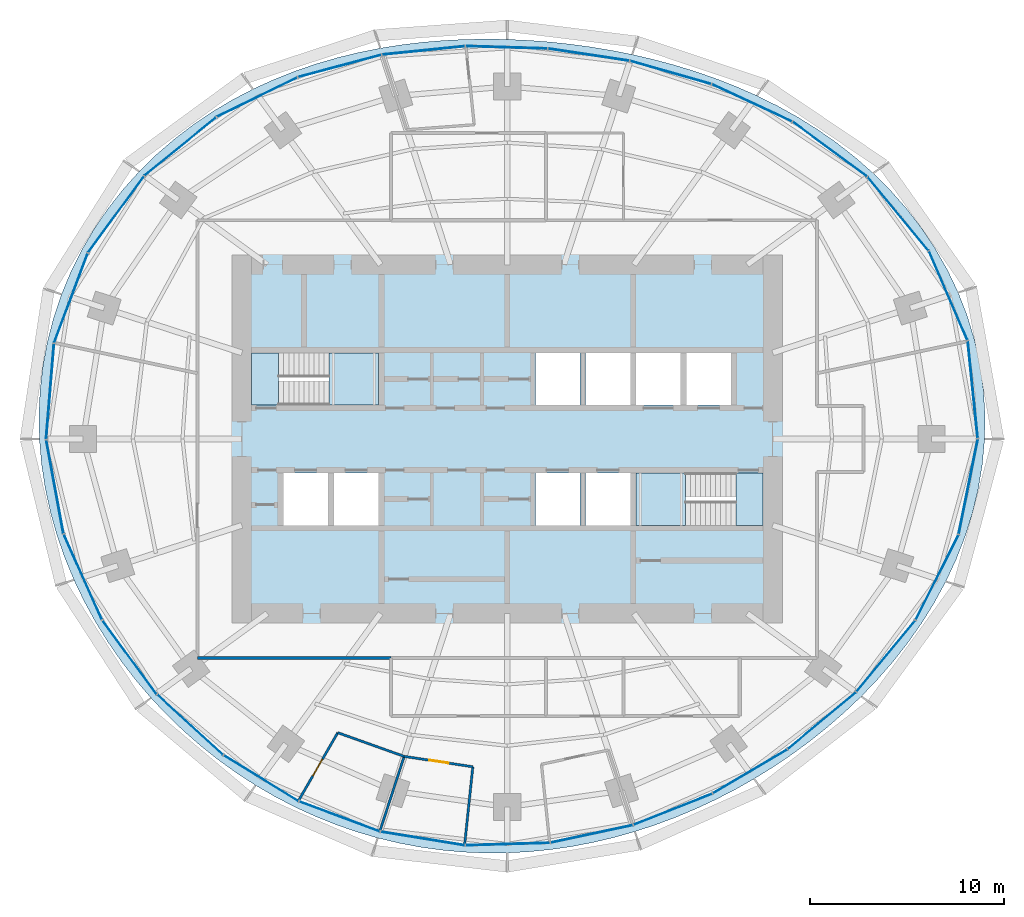
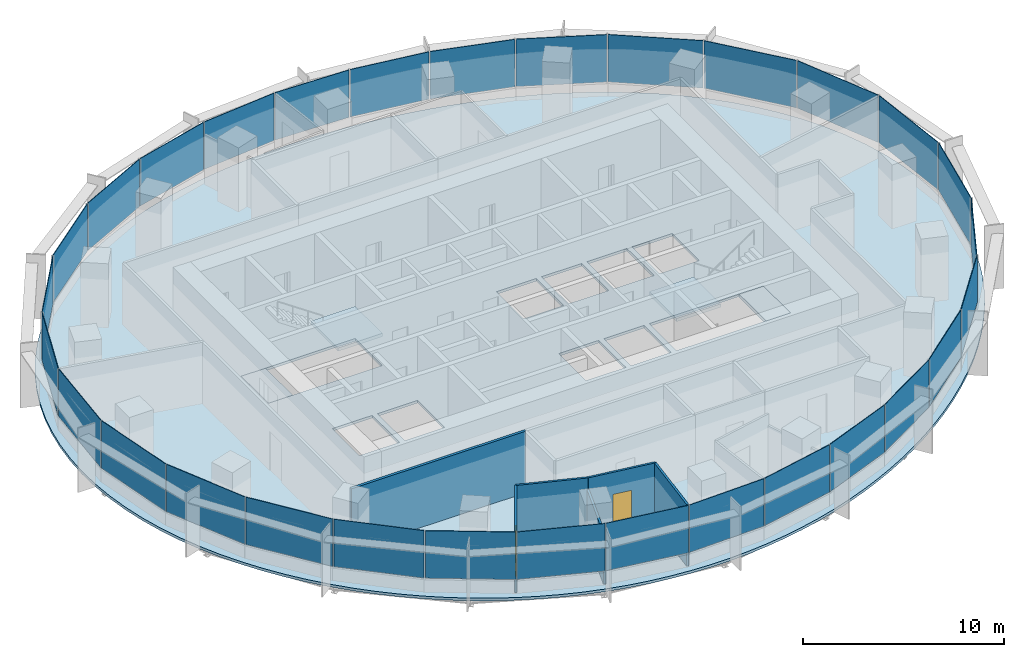
# One storey, part 9 of 15: 30 plates, 6 walls, 5 slabs, 2 doors, 2 openings, 8 elements without a shape of their own.
"""IFC4 building model written with IfcOpenShell, lengths in metres."""

from ifc_helpers import new_model, si_unit, direction, frame, frame_2d, origin, origin_2d, place, context, subcontext, project, spatial, polyline, rectangle, outline, extrude, material, layer, layer_set, type_object, element, fill, aggregate, save


model = new_model("IFC4")

# Units and contexts
model_context = context("Model", 3, precision=1e-05, world=origin(), true_north=direction((0.0, 1.0)))
body_context = subcontext(model_context, "Body", "Model", "MODEL_VIEW")
ifc_project = project(units=[si_unit("LENGTHUNIT", "METRE"), si_unit("AREAUNIT", "SQUARE_METRE"), si_unit("VOLUMEUNIT", "CUBIC_METRE"), si_unit("PLANEANGLEUNIT", "RADIAN"), si_unit("MASSUNIT", "GRAM", prefix="KILO")], contexts=[model_context])

# Site, building, storey
site_placement = place(None, origin())
site = spatial("IfcSite", under=ifc_project, at=site_placement, CompositionType="ELEMENT")
building_placement = place(site_placement, origin())
building = spatial("IfcBuilding", under=site, at=building_placement, Name="Marramba Exchange Tower", CompositionType="ELEMENT")
storey_placement = place(building_placement, frame((0.0, 0.0, 230.60009765625)))
storey = spatial("IfcBuildingStorey", under=building, at=storey_placement, Name="L56", CompositionType="ELEMENT", Elevation=230.60009765625)

# Slab
ifc_material_1 = material(Name="Concrete N40", Category="concrete")
ifc_layer_1 = layer(ifc_material_1, 0.159912109375)
ifc_layer_set_1 = layer_set([ifc_layer_1], Name="Composite floor slab 160")
slab_type_1 = type_object("IfcSlabType", Name="Composite floor slab 160", PredefinedType="FLOOR", material=ifc_layer_set_1)
slab_1_placement = place(storey_placement, frame((0.0, 0.0, -0.16015625)))
element("IfcSlab", 1, at=slab_1_placement, inside=storey, type_object=slab_type_1, Name="Floor slab L56", PredefinedType="FLOOR", context=body_context, shape_type="SweptSolid", body=[
    extrude(outline(polyline([(24.64404296875, 0.0), (24.661376953125, 1.29248046875), (24.580078125, 2.58349609375), (24.399658203125, 3.864501953125), (24.12109375, 5.127197265625), (23.7470703125, 6.363037109375), (23.281494140625, 7.564697265625), (22.72900390625, 8.724853515625), (22.095947265625, 9.837646484375), (21.388427734375, 10.89794921875), (20.614013671875, 11.901611328125), (19.780029296875, 12.845458984375), (18.894287109375, 13.7275390625), (17.964111328125, 14.547119140625), (16.996826171875, 15.303955078125), (15.9990234375, 15.9990234375), (14.977294921875, 16.634033203125), (13.936767578125, 17.21044921875), (12.882568359375, 17.7314453125), (11.819091796875, 18.19970703125), (10.749267578125, 18.6181640625), (9.67578125, 18.989990234375), (8.60107421875, 19.318115234375), (7.52587890625, 19.60546875), (6.451171875, 19.8544921875), (5.377197265625, 20.067626953125), (4.303466796875, 20.246337890625), (3.229736328125, 20.39208984375), (2.1552734375, 20.50537109375), (1.078857421875, 20.5869140625), (0.0, 20.63623046875), (-1.082275390625, 20.652587890625), (-2.168701171875, 20.634765625), (-3.259765625, 20.580810546875), (-4.35498046875, 20.4892578125), (-5.45458984375, 20.35693359375), (-6.557373046875, 20.181884765625), (-7.662353515625, 19.9609375), (-8.76708984375, 19.691162109375), (-9.869384765625, 19.369873046875), (-10.96630859375, 18.994384765625), (-12.05419921875, 18.561767578125), (-13.128662109375, 18.070068359375), (-14.185546875, 17.517578125), (-15.218994140625, 16.902587890625), (-16.22412109375, 16.22412109375), (-17.195068359375, 15.482421875), (-18.12548828125, 14.677734375), (-19.009521484375, 13.811279296875), (-19.841064453125, 12.885009765625), (-20.614013671875, 11.901611328125), (-21.32275390625, 10.864501953125), (-21.9619140625, 9.778076171875), (-22.52685546875, 8.647216796875), (-23.01318359375, 7.477294921875), (-23.417724609375, 6.274658203125), (-23.73779296875, 5.045654296875), (-23.971923828125, 3.796875), (-24.119384765625, 2.53515625), (-24.180419921875, 1.267333984375), (-24.156005859375, 0.0), (-24.04833984375, -1.26025390625), (-23.860107421875, -2.5078125), (-23.594482421875, -3.737060546875), (-23.25537109375, -4.943115234375), (-22.846923828125, -6.121826171875), (-22.373291015625, -7.26953125), (-21.8388671875, -8.38330078125), (-21.247802734375, -9.460205078125), (-20.604248046875, -10.49853515625), (-19.912109375, -11.496337890625), (-19.174560546875, -12.4521484375), (-18.395263671875, -13.364990234375), (-17.5771484375, -14.233642578125), (-16.72265625, -15.05712890625), (-15.834228515625, -15.834228515625), (-14.914794921875, -16.564453125), (-13.966064453125, -17.24658203125), (-12.990234375, -17.879638671875), (-11.98974609375, -18.46240234375), (-10.96630859375, -18.994384765625), (-9.922607421875, -19.47412109375), (-8.860595703125, -19.901123046875), (-7.78271484375, -20.2744140625), (-6.691162109375, -20.593505859375), (-5.5888671875, -20.858154296875), (-4.478271484375, -21.068115234375), (-3.361328125, -21.22314453125), (-2.2412109375, -21.32373046875), (-1.119873046875, -21.370361328125), (0.0, -21.36376953125), (1.116455078125, -21.3046875), (2.2275390625, -21.194580078125), (3.33154296875, -21.0341796875), (4.426513671875, -20.8251953125), (5.511474609375, -20.56884765625), (6.5849609375, -20.266357421875), (7.646240234375, -19.919189453125), (8.694580078125, -19.528076171875), (9.72900390625, -19.09423828125), (10.749267578125, -18.6181640625), (11.75439453125, -18.100341796875), (12.744140625, -17.541015625), (13.71728515625, -16.939697265625), (14.6728515625, -16.2958984375), (15.609130859375, -15.609130859375), (16.5244140625, -14.878662109375), (17.415771484375, -14.10302734375), (18.280029296875, -13.28125), (19.11376953125, -12.41259765625), (19.912109375, -11.496337890625), (20.669921875, -10.531982421875), (21.3818359375, -9.519775390625), (22.041259765625, -8.4609375), (22.641845703125, -7.356689453125), (23.176513671875, -6.210205078125), (23.638671875, -5.024658203125), (24.022216796875, -3.8046875), (24.32080078125, -2.55615234375), (24.529541015625, -1.28564453125), (24.64404296875, 0.0)]), holes=[polyline([(1.449951171875, 1.75), (3.75, 1.75), (3.75, 4.449951171875), (1.449951171875, 4.449951171875), (1.449951171875, 1.75)]), polyline([(4.050048828125, 1.75), (6.35009765625, 1.75), (6.35009765625, 4.449951171875), (4.050048828125, 4.449951171875), (4.050048828125, 1.75)]), polyline([(1.449951171875, -4.449951171875), (3.75, -4.449951171875), (3.75, -1.75), (1.449951171875, -1.75), (1.449951171875, -4.449951171875)]), polyline([(4.050048828125, -4.449951171875), (6.35009765625, -4.449951171875), (6.35009765625, -1.75), (4.050048828125, -1.75), (4.050048828125, -4.449951171875)]), polyline([(6.64990234375, 1.75), (8.949951171875, 1.75), (8.949951171875, 4.449951171875), (6.64990234375, 4.449951171875), (6.64990234375, 1.75)]), polyline([(-8.949951171875, -4.449951171875), (-6.64990234375, -4.449951171875), (-6.64990234375, -1.75), (-8.949951171875, -1.75), (-8.949951171875, -4.449951171875)]), polyline([(-11.550048828125, -4.449951171875), (-9.25, -4.449951171875), (-9.25, -1.75), (-11.550048828125, -1.75), (-11.550048828125, -4.449951171875)]), polyline([(9.25, 1.75), (11.550048828125, 1.75), (11.550048828125, 4.449951171875), (9.25, 4.449951171875), (9.25, 1.75)]), polyline([(-13.199951171875, 1.75), (-6.64990234375, 1.75), (-6.64990234375, 4.449951171875), (-13.199951171875, 4.449951171875), (-13.199951171875, 1.75)]), polyline([(6.64990234375, -4.449951171875), (13.199951171875, -4.449951171875), (13.199951171875, -1.75), (6.64990234375, -1.75), (6.64990234375, -4.449951171875)])]), origin(), (0.0, 0.0, 1.0), 0.16015625),
])

# Curtain wall, plates
ifc_material_2 = material(Name="Aluminium framing, bronze anodised", Category="aluminium")
curtain_wall_type = type_object("IfcCurtainWallType", Name="Office ribbon curtain wall", PredefinedType="USERDEFINED", material=ifc_material_2)
curtain_wall_1_placement = place(storey_placement, origin())
curtain_wall_1 = element("IfcCurtainWall", 2, at=curtain_wall_1_placement, inside=storey, type_object=curtain_wall_type, Name="Curtain wall CW4 L56 F01-F05", ObjectType="RIBBON CURTAIN WALL", PredefinedType="USERDEFINED")
ifc_material_3 = material(Name="Laminated double glazed unit 10.76 + 16 + 10.76, bronze tinted", Category="glass")
ifc_layer_2 = layer(ifc_material_3, 0.03759765625)
ifc_layer_set_2 = layer_set([ifc_layer_2], Name="Office ribbon curtain wall panel")
plate_type = type_object("IfcPlateType", Name="Office ribbon curtain wall panel", PredefinedType="CURTAIN_PANEL", material=ifc_layer_set_2)
plate_1_placement = place(storey_placement, frame((24.033203125, 2.556884765625, 0.85986328125), z_axis=(0.0, 0.0, 1.0), x_axis=(-0.101422472607, 0.994843446001, 0.0)))
plate_1 = element("IfcPlate", 3, at=plate_1_placement, type_object=plate_type, Name="CW4 vision panel", PredefinedType="CURTAIN_PANEL", context=body_context, shape_type="SweptSolid", body=[
    extrude(rectangle(XDim=5.0205078125, YDim=0.03759765625, at=origin_2d()), origin(), (0.0, 0.0, 1.0), 2.8798828125),
])
plate_2_placement = place(storey_placement, frame((22.765625, 7.40234375, 0.85986328125), z_axis=(0.0, 0.0, 1.0), x_axis=(-0.396193346946, 0.918167104527, 0.0)))
plate_2 = element("IfcPlate", 4, at=plate_2_placement, type_object=plate_type, Name="CW4 vision panel", PredefinedType="CURTAIN_PANEL", context=body_context, shape_type="SweptSolid", body=[
    extrude(rectangle(XDim=4.99462890625, YDim=0.03759765625, at=origin_2d()), origin(), (0.0, 0.0, 1.0), 2.8798828125),
])
plate_3_placement = place(storey_placement, frame((20.174560546875, 11.631591796875, 0.85986328125), z_axis=(0.0, 0.0, 1.0), x_axis=(-0.637350227411, 0.770574258342, 0.0)))
plate_3 = element("IfcPlate", 5, at=plate_3_placement, type_object=plate_type, Name="CW4 vision panel", PredefinedType="CURTAIN_PANEL", context=body_context, shape_type="SweptSolid", body=[
    extrude(rectangle(XDim=4.90576171875, YDim=0.03759765625, at=origin_2d()), origin(), (0.0, 0.0, 1.0), 2.8798828125),
])
plate_4_placement = place(storey_placement, frame((16.653076171875, 14.965576171875, 0.85986328125), z_axis=(0.0, 0.0, 1.0), x_axis=(-0.804877259395, 0.593441317494, 0.0)))
plate_4 = element("IfcPlate", 6, at=plate_4_placement, type_object=plate_type, Name="CW4 vision panel", PredefinedType="CURTAIN_PANEL", context=body_context, shape_type="SweptSolid", body=[
    extrude(rectangle(XDim=4.745849609375, YDim=0.03759765625, at=origin_2d()), origin(), (0.0, 0.0, 1.0), 2.8798828125),
])
plate_5_placement = place(storey_placement, frame((12.63134765625, 17.357177734375, 0.85986328125), z_axis=(0.0, 0.0, 1.0), x_axis=(-0.906533907301, 0.422133006189, 0.0)))
plate_5 = element("IfcPlate", 7, at=plate_5_placement, type_object=plate_type, Name="CW4 vision panel", PredefinedType="CURTAIN_PANEL", context=body_context, shape_type="SweptSolid", body=[
    extrude(rectangle(XDim=4.53857421875, YDim=0.03759765625, at=origin_2d()), origin(), (0.0, 0.0, 1.0), 2.8798828125),
])
aggregate(curtain_wall_1, [plate_1, plate_2, plate_3, plate_4, plate_5])

curtain_wall_2_placement = place(storey_placement, origin())
curtain_wall_2 = element("IfcCurtainWall", 8, at=curtain_wall_2_placement, inside=storey, type_object=curtain_wall_type, Name="Curtain wall CW4 L56 F06-F10", ObjectType="RIBBON CURTAIN WALL", PredefinedType="USERDEFINED")
plate_6_placement = place(storey_placement, frame((8.4296875, 18.926513671875, 0.85986328125), z_axis=(0.0, 0.0, 1.0), x_axis=(-0.961658954195, 0.274248164656, 0.0)))
plate_6 = element("IfcPlate", 9, at=plate_6_placement, type_object=plate_type, Name="CW4 vision panel", PredefinedType="CURTAIN_PANEL", context=body_context, shape_type="SweptSolid", body=[
    extrude(rectangle(XDim=4.33984375, YDim=0.03759765625, at=origin_2d()), origin(), (0.0, 0.0, 1.0), 2.8798828125),
])
plate_7_placement = place(storey_placement, frame((4.201171875, 19.843994140625, 0.85986328125), z_axis=(0.0, 0.0, 1.0), x_axis=(-0.988868065698, 0.148794988635, 0.0)))
plate_7 = element("IfcPlate", 10, at=plate_7_placement, type_object=plate_type, Name="CW4 vision panel", PredefinedType="CURTAIN_PANEL", context=body_context, shape_type="SweptSolid", body=[
    extrude(rectangle(XDim=4.2119140625, YDim=0.03759765625, at=origin_2d()), origin(), (0.0, 0.0, 1.0), 2.8798828125),
])
plate_8_placement = place(storey_placement, frame((-0.036865234375, 20.222900390625, 0.85986328125), z_axis=(0.0, 0.0, 1.0), x_axis=(-0.999538000143, 0.03039385249, 0.0)))
plate_8 = element("IfcPlate", 11, at=plate_8_placement, type_object=plate_type, Name="CW4 vision panel", PredefinedType="CURTAIN_PANEL", context=body_context, shape_type="SweptSolid", body=[
    extrude(rectangle(XDim=4.19287109375, YDim=0.03759765625, at=origin_2d()), origin(), (0.0, 0.0, 1.0), 2.8798828125),
])
plate_9_placement = place(storey_placement, frame((-4.320556640625, 20.064697265625, 0.85986328125), z_axis=(0.0, 0.0, 1.0), x_axis=(-0.994900357369, -0.100862673507, 0.0)))
plate_9 = element("IfcPlate", 12, at=plate_9_placement, type_object=plate_type, Name="CW4 vision panel", PredefinedType="CURTAIN_PANEL", context=body_context, shape_type="SweptSolid", body=[
    extrude(rectangle(XDim=4.279296875, YDim=0.03759765625, at=origin_2d()), origin(), (0.0, 0.0, 1.0), 2.8798828125),
])
plate_10_placement = place(storey_placement, frame((-8.6494140625, 19.262451171875, 0.85986328125), z_axis=(0.0, 0.0, 1.0), x_axis=(-0.966240653155, -0.257641223778, 0.0)))
plate_10 = element("IfcPlate", 13, at=plate_10_placement, type_object=plate_type, Name="CW4 vision panel", PredefinedType="CURTAIN_PANEL", context=body_context, shape_type="SweptSolid", body=[
    extrude(rectangle(XDim=4.433837890625, YDim=0.03759765625, at=origin_2d()), origin(), (0.0, 0.0, 1.0), 2.8798828125),
])
aggregate(curtain_wall_2, [plate_6, plate_7, plate_8, plate_9, plate_10])

curtain_wall_3_placement = place(storey_placement, origin())
curtain_wall_3 = element("IfcCurtainWall", 14, at=curtain_wall_3_placement, inside=storey, type_object=curtain_wall_type, Name="Curtain wall CW4 L56 F11-F15", ObjectType="RIBBON CURTAIN WALL", PredefinedType="USERDEFINED")
plate_11_placement = place(storey_placement, frame((-12.9150390625, 17.653564453125, 0.85986328125), z_axis=(0.0, 0.0, 1.0), x_axis=(-0.898500518805, -0.438972456661, 0.0)))
plate_11 = element("IfcPlate", 15, at=plate_11_placement, type_object=plate_type, Name="CW4 vision panel", PredefinedType="CURTAIN_PANEL", context=body_context, shape_type="SweptSolid", body=[
    extrude(rectangle(XDim=4.607177734375, YDim=0.03759765625, at=origin_2d()), origin(), (0.0, 0.0, 1.0), 2.8798828125),
])
plate_12_placement = place(storey_placement, frame((-16.87890625, 15.10498046875, 0.85986328125), z_axis=(0.0, 0.0, 1.0), x_axis=(-0.776432169145, -0.630200830464, 0.0)))
plate_12 = element("IfcPlate", 16, at=plate_12_placement, type_object=plate_type, Name="CW4 vision panel", PredefinedType="CURTAIN_PANEL", context=body_context, shape_type="SweptSolid", body=[
    extrude(rectangle(XDim=4.7587890625, YDim=0.03759765625, at=origin_2d()), origin(), (0.0, 0.0, 1.0), 2.8798828125),
])
plate_13_placement = place(storey_placement, frame((-20.2021484375, 11.596435546875, 0.85986328125), z_axis=(0.0, 0.0, 1.0), x_axis=(-0.591962922138, -0.805965197024, 0.0)))
plate_13 = element("IfcPlate", 17, at=plate_13_placement, type_object=plate_type, Name="CW4 vision panel", PredefinedType="CURTAIN_PANEL", context=body_context, shape_type="SweptSolid", body=[
    extrude(rectangle(XDim=4.865478515625, YDim=0.03759765625, at=origin_2d()), origin(), (0.0, 0.0, 1.0), 2.8798828125),
])
plate_14_placement = place(storey_placement, frame((-22.529296875, 7.276123046875, 0.85986328125), z_axis=(0.0, 0.0, 1.0), x_axis=(-0.351951515885, -0.936018231909, 0.0)))
plate_14 = element("IfcPlate", 18, at=plate_14_placement, type_object=plate_type, Name="CW4 vision panel", PredefinedType="CURTAIN_PANEL", context=body_context, shape_type="SweptSolid", body=[
    extrude(rectangle(XDim=4.921630859375, YDim=0.03759765625, at=origin_2d()), origin(), (0.0, 0.0, 1.0), 2.8798828125),
])
plate_15_placement = place(storey_placement, frame((-23.603271484375, 2.45654296875, 0.85986328125), z_axis=(0.0, 0.0, 1.0), x_axis=(-0.082280890264, -0.996609178714, 0.0)))
plate_15 = element("IfcPlate", 19, at=plate_15_placement, type_object=plate_type, Name="CW4 vision panel", PredefinedType="CURTAIN_PANEL", context=body_context, shape_type="SweptSolid", body=[
    extrude(rectangle(XDim=4.9296875, YDim=0.03759765625, at=origin_2d()), origin(), (0.0, 0.0, 1.0), 2.8798828125),
])
aggregate(curtain_wall_3, [plate_11, plate_12, plate_13, plate_14, plate_15])

curtain_wall_4_placement = place(storey_placement, origin())
curtain_wall_4 = element("IfcCurtainWall", 20, at=curtain_wall_4_placement, inside=storey, type_object=curtain_wall_type, Name="Curtain wall CW4 L56 F16-F20", ObjectType="RIBBON CURTAIN WALL", PredefinedType="USERDEFINED")
plate_16_placement = place(storey_placement, frame((-23.354248046875, -2.464599609375, 0.85986328125), z_axis=(0.0, 0.0, 1.0), x_axis=(0.180327438996, -0.983606636184, 0.0)))
plate_16 = element("IfcPlate", 21, at=plate_16_placement, type_object=plate_type, Name="CW4 vision panel", PredefinedType="CURTAIN_PANEL", context=body_context, shape_type="SweptSolid", body=[
    extrude(rectangle(XDim=4.8916015625, YDim=0.03759765625, at=origin_2d()), origin(), (0.0, 0.0, 1.0), 2.8798828125),
])
plate_17_placement = place(storey_placement, frame((-21.908447265625, -7.12158203125, 0.85986328125), z_axis=(0.0, 0.0, 1.0), x_axis=(0.407557580942, -0.913179510401, 0.0)))
plate_17 = element("IfcPlate", 22, at=plate_17_placement, type_object=plate_type, Name="CW4 vision panel", PredefinedType="CURTAIN_PANEL", context=body_context, shape_type="SweptSolid", body=[
    extrude(rectangle(XDim=4.810302734375, YDim=0.03759765625, at=origin_2d()), origin(), (0.0, 0.0, 1.0), 2.8798828125),
])
plate_18_placement = place(storey_placement, frame((-19.50244140625, -11.2626953125, 0.85986328125), z_axis=(0.0, 0.0, 1.0), x_axis=(0.591223103363, -0.806508054547, 0.0)))
plate_18 = element("IfcPlate", 23, at=plate_18_placement, type_object=plate_type, Name="CW4 vision panel", PredefinedType="CURTAIN_PANEL", context=body_context, shape_type="SweptSolid", body=[
    extrude(rectangle(XDim=4.703125, YDim=0.03759765625, at=origin_2d()), origin(), (0.0, 0.0, 1.0), 2.8798828125),
])
plate_19_placement = place(storey_placement, frame((-16.374267578125, -14.752197265625, 0.85986328125), z_axis=(0.0, 0.0, 1.0), x_axis=(0.737203264245, -0.67567103474, 0.0)))
plate_19 = element("IfcPlate", 24, at=plate_19_placement, type_object=plate_type, Name="CW4 vision panel", PredefinedType="CURTAIN_PANEL", context=body_context, shape_type="SweptSolid", body=[
    extrude(rectangle(XDim=4.594970703125, YDim=0.03759765625, at=origin_2d()), origin(), (0.0, 0.0, 1.0), 2.8798828125),
])
plate_20_placement = place(storey_placement, frame((-12.71044921875, -17.513427734375, 0.85986328125), z_axis=(0.0, 0.0, 1.0), x_axis=(0.85230101176, -0.52305160869, 0.0)))
plate_20 = element("IfcPlate", 25, at=plate_20_placement, type_object=plate_type, Name="CW4 vision panel", PredefinedType="CURTAIN_PANEL", context=body_context, shape_type="SweptSolid", body=[
    extrude(rectangle(XDim=4.503173828125, YDim=0.03759765625, at=origin_2d()), origin(), (0.0, 0.0, 1.0), 2.8798828125),
])
aggregate(curtain_wall_4, [plate_16, plate_17, plate_18, plate_19, plate_20])

curtain_wall_5_placement = place(storey_placement, origin())
curtain_wall_5 = element("IfcCurtainWall", 26, at=curtain_wall_5_placement, inside=storey, type_object=curtain_wall_type, Name="Curtain wall CW4 L56 F21-F25", ObjectType="RIBBON CURTAIN WALL", PredefinedType="USERDEFINED")
plate_21_placement = place(storey_placement, frame((-8.6591796875, -19.486572265625, 0.85986328125), z_axis=(0.0, 0.0, 1.0), x_axis=(0.936951583142, -0.349459197687, 0.0)))
plate_21 = element("IfcPlate", 27, at=plate_21_placement, type_object=plate_type, Name="CW4 vision panel", PredefinedType="CURTAIN_PANEL", context=body_context, shape_type="SweptSolid", body=[
    extrude(rectangle(XDim=4.431396484375, YDim=0.03759765625, at=origin_2d()), origin(), (0.0, 0.0, 1.0), 2.8798828125),
])
plate_22_placement = place(storey_placement, frame((-4.3642578125, -20.623046875, 0.85986328125), z_axis=(0.0, 0.0, 1.0), x_axis=(0.986930623159, -0.161145726194, 0.0)))
plate_22 = element("IfcPlate", 28, at=plate_22_placement, type_object=plate_type, Name="CW4 vision panel", PredefinedType="CURTAIN_PANEL", context=body_context, shape_type="SweptSolid", body=[
    extrude(rectangle(XDim=4.37646484375, YDim=0.03759765625, at=origin_2d()), origin(), (0.0, 0.0, 1.0), 2.8798828125),
])
plate_23_placement = place(storey_placement, frame((0.023193359375, -20.91015625, 0.85986328125), z_axis=(0.0, 0.0, 1.0), x_axis=(0.99956791915, 0.029393451762, 0.0)))
plate_23 = element("IfcPlate", 29, at=plate_23_placement, type_object=plate_type, Name="CW4 vision panel", PredefinedType="CURTAIN_PANEL", context=body_context, shape_type="SweptSolid", body=[
    extrude(rectangle(XDim=4.337646484375, YDim=0.03759765625, at=origin_2d()), origin(), (0.0, 0.0, 1.0), 2.8798828125),
])
plate_24_placement = place(storey_placement, frame((4.36328125, -20.3837890625, 0.85986328125), z_axis=(0.0, 0.0, 1.0), x_axis=(0.978058069607, 0.208332456608, 0.0)))
plate_24 = element("IfcPlate", 30, at=plate_24_placement, type_object=plate_type, Name="CW4 vision panel", PredefinedType="CURTAIN_PANEL", context=body_context, shape_type="SweptSolid", body=[
    extrude(rectangle(XDim=4.32177734375, YDim=0.03759765625, at=origin_2d()), origin(), (0.0, 0.0, 1.0), 2.8798828125),
])
plate_25_placement = place(storey_placement, frame((8.553466796875, -19.11328125, 0.85986328125), z_axis=(0.0, 0.0, 1.0), x_axis=(0.93007301435, 0.367374724195, 0.0)))
plate_25 = element("IfcPlate", 31, at=plate_25_placement, type_object=plate_type, Name="CW4 vision panel", PredefinedType="CURTAIN_PANEL", context=body_context, shape_type="SweptSolid", body=[
    extrude(rectangle(XDim=4.345458984375, YDim=0.03759765625, at=origin_2d()), origin(), (0.0, 0.0, 1.0), 2.8798828125),
])
aggregate(curtain_wall_5, [plate_21, plate_22, plate_23, plate_24, plate_25])

curtain_wall_6_placement = place(storey_placement, origin())
curtain_wall_6 = element("IfcCurtainWall", 32, at=curtain_wall_6_placement, inside=storey, type_object=curtain_wall_type, Name="Curtain wall CW4 L56 F26-F30", ObjectType="RIBBON CURTAIN WALL", PredefinedType="USERDEFINED")
plate_26_placement = place(storey_placement, frame((12.5322265625, -17.16015625, 0.85986328125), z_axis=(0.0, 0.0, 1.0), x_axis=(0.861350833897, 0.508010571686, 0.0)))
plate_26 = element("IfcPlate", 33, at=plate_26_placement, type_object=plate_type, Name="CW4 vision panel", PredefinedType="CURTAIN_PANEL", context=body_context, shape_type="SweptSolid", body=[
    extrude(rectangle(XDim=4.426513671875, YDim=0.03759765625, at=origin_2d()), origin(), (0.0, 0.0, 1.0), 2.8798828125),
])
plate_27_placement = place(storey_placement, frame((16.240966796875, -14.536376953125, 0.85986328125), z_axis=(0.0, 0.0, 1.0), x_axis=(0.768736798421, 0.639565270127, 0.0)))
plate_27 = element("IfcPlate", 34, at=plate_27_placement, type_object=plate_type, Name="CW4 vision panel", PredefinedType="CURTAIN_PANEL", context=body_context, shape_type="SweptSolid", body=[
    extrude(rectangle(XDim=4.568603515625, YDim=0.03759765625, at=origin_2d()), origin(), (0.0, 0.0, 1.0), 2.8798828125),
])
plate_28_placement = place(storey_placement, frame((19.548583984375, -11.203369140625, 0.85986328125), z_axis=(0.0, 0.0, 1.0), x_axis=(0.63814998673, 0.769912069289, 0.0)))
plate_28 = element("IfcPlate", 35, at=plate_28_placement, type_object=plate_type, Name="CW4 vision panel", PredefinedType="CURTAIN_PANEL", context=body_context, shape_type="SweptSolid", body=[
    extrude(rectangle(XDim=4.7431640625, YDim=0.03759765625, at=origin_2d()), origin(), (0.0, 0.0, 1.0), 2.8798828125),
])
plate_29_placement = place(storey_placement, frame((22.19287109375, -7.137939453125, 0.85986328125), z_axis=(0.0, 0.0, 1.0), x_axis=(0.450673083956, 0.892689067591, 0.0)))
plate_29 = element("IfcPlate", 36, at=plate_29_placement, type_object=plate_type, Name="CW4 vision panel", PredefinedType="CURTAIN_PANEL", context=body_context, shape_type="SweptSolid", body=[
    extrude(rectangle(XDim=4.897705078125, YDim=0.03759765625, at=origin_2d()), origin(), (0.0, 0.0, 1.0), 2.8798828125),
])
plate_30_placement = place(storey_placement, frame((23.801025390625, -2.446533203125, 0.85986328125), z_axis=(0.0, 0.0, 1.0), x_axis=(0.197495405316, 0.980303812539, 0.0)))
plate_30 = element("IfcPlate", 37, at=plate_30_placement, type_object=plate_type, Name="CW4 vision panel", PredefinedType="CURTAIN_PANEL", context=body_context, shape_type="SweptSolid", body=[
    extrude(rectangle(XDim=4.9912109375, YDim=0.03759765625, at=origin_2d()), origin(), (0.0, 0.0, 1.0), 2.8798828125),
])
aggregate(curtain_wall_6, [plate_26, plate_27, plate_28, plate_29, plate_30])

# Stair, slabs
ifc_material_4 = material(Name="Concrete N40 (40 MPa)", Category="concrete")
stair_type_1 = type_object("IfcStairType", Name="Exit stair ST1 3900 x 1250", PredefinedType="HALF_TURN_STAIR", material=ifc_material_4)
stair_1_placement = place(storey_placement, origin())
stair_1 = element("IfcStair", 38, at=stair_1_placement, inside=storey, type_object=stair_type_1, Name="Exit stair ST1 L56", PredefinedType="HALF_TURN_STAIR")
ifc_layer_3 = layer(ifc_material_4, 0.199951171875)
ifc_layer_set_3 = layer_set([ifc_layer_3], Name="Stair landing 200")
slab_type_2 = type_object("IfcSlabType", Name="Stair landing 200", PredefinedType="LANDING", material=ifc_layer_set_3)
slab_2_placement = place(storey_placement, frame((0.0, 0.0, -0.2001953125)))
slab_2 = element("IfcSlab", 39, at=slab_2_placement, type_object=slab_type_2, Name="ST1 landing 1", PredefinedType="LANDING", context=body_context, shape_type="SweptSolid", body=[
    extrude(outline(polyline([(-13.199951171875, 1.75), (-11.800048828125, 1.75), (-11.800048828125, 4.449951171875), (-13.199951171875, 4.449951171875), (-13.199951171875, 1.75)])), origin(), (0.0, 0.0, 1.0), 0.2001953125),
])
slab_3_placement = place(storey_placement, frame((0.0, 0.0, 1.75)))
slab_3 = element("IfcSlab", 40, at=slab_3_placement, type_object=slab_type_2, Name="ST1 landing 2", PredefinedType="LANDING", context=body_context, shape_type="SweptSolid", body=[
    extrude(outline(polyline([(-9.199951171875, 1.75), (-6.64990234375, 1.75), (-6.64990234375, 4.449951171875), (-9.199951171875, 4.449951171875), (-9.199951171875, 1.75)])), origin(), (0.0, 0.0, 1.0), 0.199951171875),
])
aggregate(stair_1, [slab_2, slab_3])

stair_type_2 = type_object("IfcStairType", Name="Exit stair ST2 3900 x 1250", PredefinedType="HALF_TURN_STAIR", material=ifc_material_4)
stair_2_placement = place(storey_placement, origin())
stair_2 = element("IfcStair", 41, at=stair_2_placement, inside=storey, type_object=stair_type_2, Name="Exit stair ST2 L56", PredefinedType="HALF_TURN_STAIR")
slab_4_placement = place(storey_placement, frame((0.0, 0.0, -0.2001953125)))
slab_4 = element("IfcSlab", 42, at=slab_4_placement, type_object=slab_type_2, Name="ST2 landing 1", PredefinedType="LANDING", context=body_context, shape_type="SweptSolid", body=[
    extrude(outline(polyline([(11.800048828125, -4.449951171875), (13.199951171875, -4.449951171875), (13.199951171875, -1.75), (11.800048828125, -1.75), (11.800048828125, -4.449951171875)])), origin(), (0.0, 0.0, 1.0), 0.2001953125),
])
slab_5_placement = place(storey_placement, frame((0.0, 0.0, 1.75)))
slab_5 = element("IfcSlab", 43, at=slab_5_placement, type_object=slab_type_2, Name="ST2 landing 2", PredefinedType="LANDING", context=body_context, shape_type="SweptSolid", body=[
    extrude(outline(polyline([(6.64990234375, -4.449951171875), (9.199951171875, -4.449951171875), (9.199951171875, -1.75), (6.64990234375, -1.75), (6.64990234375, -4.449951171875)])), origin(), (0.0, 0.0, 1.0), 0.199951171875),
])
aggregate(stair_2, [slab_4, slab_5])

# Wall, opening, door
ifc_material_5 = material(Name="Plasterboard on steel studs", Category="steel")
ifc_layer_4 = layer(ifc_material_5, 0.1201171875)
ifc_layer_set_4 = layer_set([ifc_layer_4], Name="Partition 120")
wall_type_1 = type_object("IfcWallType", Name="Partition 120", PredefinedType="PARTITIONING", material=ifc_layer_set_4)
wall_1_placement = place(storey_placement, frame((-8.75146484375, -15.15771484375, 0.0), z_axis=(0.0, 0.0, 1.0), x_axis=(-0.49999894854, -0.866026010844, 0.0)))
wall_1 = element("IfcWall", 44, at=wall_1_placement, inside=storey, type_object=wall_type_1, Name="Partition L56 02", PredefinedType="PARTITIONING", context=body_context, shape_type="SweptSolid", body=[
    extrude(rectangle(XDim=4.0, YDim=0.1201171875, at=frame_2d((2.0, 0.0))), origin(), (0.0, 0.0, 1.0), 3.739990234375),
])
opening_1_placement = place(wall_1_placement, frame((1.576904296875, 0.0, 0.0)))
opening_1 = element("IfcOpeningElement", 45, at=opening_1_placement, cuts=wall_1, Name="Opening D9", PredefinedType="OPENING", context=body_context, shape_type="SweptSolid", body=[
    extrude(rectangle(XDim=1.0, YDim=2.39990234375, at=frame_2d((0.5, 1.199951171875))), frame((0.0, 0.070068359375, 0.0), z_axis=(0.0, -1.0, 0.0), x_axis=(1.0, 0.0, 0.0)), (0.0, 0.0, 1.0), 0.14013671875),
])
ifc_material_6 = material(Name="Timber door", Category="wood")
door_type = type_object("IfcDoorType", Name="Room door 1000x2400", OperationType="SINGLE_SWING_LEFT", PredefinedType="DOOR", material=ifc_material_6)
door_1_placement = place(opening_1_placement, origin())
door_1 = element("IfcDoor", 46, at=door_1_placement, inside=storey, type_object=door_type, Name="D9 Office 2 L56", OperationType="SINGLE_SWING_RIGHT", OverallHeight=2.39990234375, OverallWidth=1.0, PredefinedType="DOOR", context=body_context, shape_type="SweptSolid", body=[
    extrude(rectangle(XDim=1.0, YDim=2.39990234375, at=frame_2d((0.5, 1.199951171875))), frame((0.0, 0.02490234375, 0.0), z_axis=(0.0, -1.0, 0.0), x_axis=(1.0, 0.0, 0.0)), (0.0, 0.0, 1.0), 0.050048828125),
])
fill(opening_1, door_1)

# Walls
wall_2_placement = place(storey_placement, frame((-5.322265625, -16.38037109375, 0.0), z_axis=(0.0, 0.0, 1.0), x_axis=(-0.94192080639, 0.335835070369, 0.0)))
element("IfcWall", 47, at=wall_2_placement, inside=storey, type_object=wall_type_1, Name="Partition L56 04", PredefinedType="PARTITIONING", context=body_context, shape_type="SweptSolid", body=[
    extrude(rectangle(XDim=3.640625, YDim=0.1201171875, at=frame_2d((1.8203125, 0.0))), origin(), (0.0, 0.0, 1.0), 3.739990234375),
])
wall_3_placement = place(storey_placement, frame((-5.322265625, -16.38037109375, 0.0), z_axis=(0.0, 0.0, 1.0), x_axis=(-0.3090046493, -0.951060527364, 0.0)))
element("IfcWall", 48, at=wall_3_placement, inside=storey, type_object=wall_type_1, Name="Partition L56 05", PredefinedType="PARTITIONING", context=body_context, shape_type="SweptSolid", body=[
    extrude(rectangle(XDim=4.000244140625, YDim=0.1201171875, at=frame_2d((2.0, 0.0))), origin(), (0.0, 0.0, 1.0), 3.039794921875),
])

# Wall, opening, door
wall_4_placement = place(storey_placement, frame((-1.7783203125, -16.91796875, 0.0), z_axis=(0.0, 0.0, 1.0), x_axis=(-0.988689198666, 0.149978893322, 0.0)))
wall_4 = element("IfcWall", 49, at=wall_4_placement, inside=storey, type_object=wall_type_1, Name="Partition L56 06", PredefinedType="PARTITIONING", context=body_context, shape_type="SweptSolid", body=[
    extrude(rectangle(XDim=3.58447265625, YDim=0.1201171875, at=frame_2d((1.792236328125, 0.0))), origin(), (0.0, 0.0, 1.0), 3.739990234375),
])
opening_2_placement = place(wall_4_placement, frame((1.26708984375, 0.0, 0.0)))
opening_2 = element("IfcOpeningElement", 50, at=opening_2_placement, cuts=wall_4, Name="Opening D9", PredefinedType="OPENING", context=body_context, shape_type="SweptSolid", body=[
    extrude(rectangle(XDim=1.0, YDim=2.39990234375, at=frame_2d((0.5, 1.199951171875))), frame((0.0, 0.070068359375, 0.0), z_axis=(0.0, -1.0, 0.0), x_axis=(1.0, 0.0, 0.0)), (0.0, 0.0, 1.0), 0.14013671875),
])
door_2_placement = place(opening_2_placement, origin())
door_2 = element("IfcDoor", 51, at=door_2_placement, inside=storey, type_object=door_type, Name="D9 Office 4 L56", OperationType="SINGLE_SWING_LEFT", OverallHeight=2.39990234375, OverallWidth=1.0, PredefinedType="DOOR", context=body_context, shape_type="SweptSolid", body=[
    extrude(rectangle(XDim=1.0, YDim=2.39990234375, at=frame_2d((0.5, 1.199951171875))), frame((0.0, 0.02490234375, 0.0), z_axis=(0.0, -1.0, 0.0), x_axis=(1.0, 0.0, 0.0)), (0.0, 0.0, 1.0), 0.050048828125),
])
fill(opening_2, door_2)

# Walls
wall_5_placement = place(storey_placement, frame((-2.1962890625, -20.89599609375, 0.0), z_axis=(0.0, 0.0, 1.0), x_axis=(0.104494148666, 0.99452550138, 0.0)))
element("IfcWall", 52, at=wall_5_placement, inside=storey, type_object=wall_type_1, Name="Partition L56 09", PredefinedType="PARTITIONING", context=body_context, shape_type="SweptSolid", body=[
    extrude(rectangle(XDim=4.0, YDim=0.1201171875, at=frame_2d((2.0, 0.0))), origin(), (0.0, 0.0, 1.0), 3.739990234375),
])
ifc_material_7 = material(Name="Fire-rated plasterboard on steel studs, acoustic insulation", Category="steel")
ifc_layer_5 = layer(ifc_material_7, 0.14990234375)
ifc_layer_set_5 = layer_set([ifc_layer_5], Name="Tenancy wall 150")
wall_type_2 = type_object("IfcWallType", Name="Tenancy wall 150", PredefinedType="PARTITIONING", material=ifc_layer_set_5)
wall_6_placement = place(storey_placement, frame((-16.0, -11.300048828125, 0.0), z_axis=(0.0, 0.0, 1.0), x_axis=(1.0, 0.0, 0.0)))
element("IfcWall", 53, at=wall_6_placement, inside=storey, type_object=wall_type_2, Name="Tenancy wall L56 01", PredefinedType="PARTITIONING", context=body_context, shape_type="SweptSolid", body=[
    extrude(rectangle(XDim=10.0, YDim=0.14990234375, at=frame_2d((5.0, 0.0))), origin(), (0.0, 0.0, 1.0), 3.739990234375),
])

save(model, "model.ifc")
